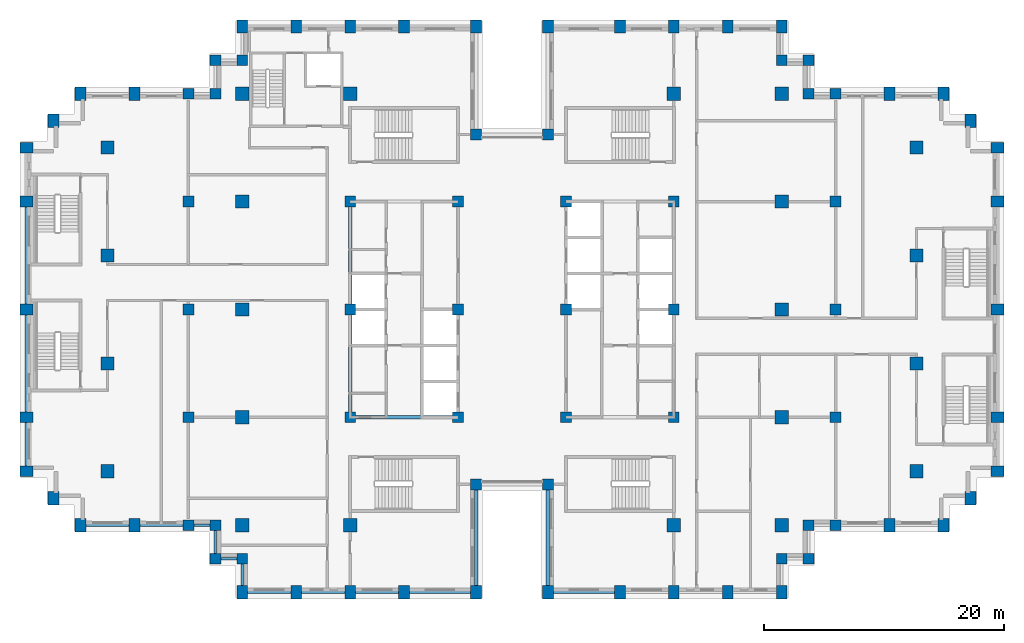
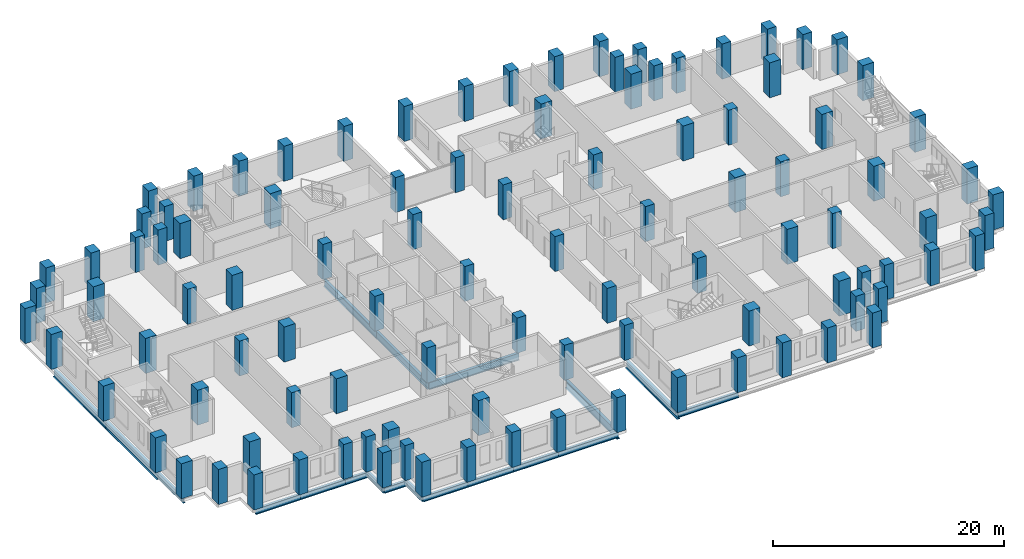
# One storey, part 1 of 15: 102 columns, 19 beams.
"""IFC4 building model written with IfcOpenShell, lengths in metres."""

from ifc_helpers import new_model, si_unit, direction, frame, origin, origin_2d, place, context, subcontext, project, spatial, rectangle, i_section, extrude, material, material_profile, profile_set, type_object, element, save


model = new_model("IFC4")

# Units and contexts
model_context = context("Model", 3, precision=1e-05, world=origin(), true_north=direction((0.0, 1.0)))
body_context = subcontext(model_context, "Body", "Model", "MODEL_VIEW")
ifc_project = project(units=[si_unit("LENGTHUNIT", "METRE"), si_unit("AREAUNIT", "SQUARE_METRE"), si_unit("VOLUMEUNIT", "CUBIC_METRE"), si_unit("PLANEANGLEUNIT", "RADIAN"), si_unit("MASSUNIT", "GRAM", prefix="KILO")], contexts=[model_context])

# Site, building, storey
site_placement = place(None, origin())
site = spatial("IfcSite", under=ifc_project, at=site_placement, CompositionType="ELEMENT")
building_placement = place(site_placement, origin())
building = spatial("IfcBuilding", under=site, at=building_placement, Name="Corbelhall Arena Tower", CompositionType="ELEMENT")
storey_placement = place(building_placement, frame((0.0, 0.0, 138.0)))
storey = spatial("IfcBuildingStorey", under=building, at=storey_placement, Name="L26", CompositionType="ELEMENT", Elevation=138.0)

# Columns
ifc_material_1 = material(Name="Concrete C80/95", Category="concrete")
ifc_material_profile_1 = material_profile(ifc_material_1, rectangle(XDim=1.10009765625, YDim=1.10009765625, at=origin_2d()))
ifc_profile_set_1 = profile_set([ifc_material_profile_1], Name="Concrete C80/95")
column_type_1 = type_object("IfcColumnType", Name="ST-COL-RC 1100x1100", PredefinedType="COLUMN", material=ifc_profile_set_1)
for number, where, z_axis, x_axis, name in (
    (1, (-33.75, 4.5, 0.0), (0.0, 0.0, 1.0), (1.0, 0.0, 0.0), "Column FIC+0450"),
    (2, (-33.75, 13.5, 0.0), (0.0, 0.0, 1.0), (1.0, 0.0, 0.0), "Column FIC+1350"),
    (3, (-33.75, -4.5, 0.0), (0.0, 0.0, 1.0), (1.0, 0.0, 0.0), "Column FIC-0450"),
    (4, (-33.75, -13.5, 0.0), (0.0, 0.0, 1.0), (1.0, 0.0, 0.0), "Column FIC-1350"),
    (5, (33.75, 4.5, 0.0), (0.0, 0.0, 1.0), (1.0, 0.0, 0.0), "Column FID+0450"),
    (6, (33.75, 13.5, 0.0), (0.0, 0.0, 1.0), (1.0, 0.0, 0.0), "Column FID+1350"),
    (7, (33.75, -4.5, 0.0), (0.0, 0.0, 1.0), (1.0, 0.0, 0.0), "Column FID-0450"),
    (8, (33.75, -13.5, 0.0), (0.0, 0.0, 1.0), (1.0, 0.0, 0.0), "Column FID-1350"),
    (9, (13.5, 18.0, 0.0), (0.0, 0.0, 1.0), (1.0, 0.0, 0.0), "Column IE13+1800"),
    (10, (13.5, -18.0, 0.0), (0.0, 0.0, 1.0), (1.0, 0.0, 0.0), "Column IE13-1800"),
    (11, (22.5, 0.0, 0.0), (0.0, 0.0, 1.0), (1.0, 0.0, 0.0), "Column IE22+0000"),
    (12, (22.5, 9.0, 0.0), (0.0, 0.0, 1.0), (1.0, 0.0, 0.0), "Column IE22+0900"),
    (13, (22.5, 18.0, 0.0), (0.0, 0.0, 1.0), (1.0, 0.0, 0.0), "Column IE22+1800"),
    (14, (22.5, -9.0, 0.0), (0.0, 0.0, 1.0), (1.0, 0.0, 0.0), "Column IE22-0900"),
    (15, (22.5, -18.0, 0.0), (0.0, 0.0, 1.0), (1.0, 0.0, 0.0), "Column IE22-1800"),
    (16, (-13.5, 18.0, 0.0), (0.0, 0.0, 1.0), (1.0, 0.0, 0.0), "Column IW13+1800"),
    (17, (-13.5, -18.0, 0.0), (0.0, 0.0, 1.0), (1.0, 0.0, 0.0), "Column IW13-1800"),
    (18, (-22.5, 0.0, 0.0), (0.0, 0.0, 1.0), (1.0, 0.0, 0.0), "Column IW22+0000"),
    (19, (-22.5, 9.0, 0.0), (0.0, 0.0, 1.0), (1.0, 0.0, 0.0), "Column IW22+0900"),
    (20, (-22.5, 18.0, 0.0), (0.0, 0.0, 1.0), (1.0, 0.0, 0.0), "Column IW22+1800"),
    (21, (-22.5, -9.0, 0.0), (0.0, 0.0, 1.0), (1.0, 0.0, 0.0), "Column IW22-0900"),
    (22, (-22.5, -18.0, 0.0), (0.0, 0.0, 1.0), (1.0, 0.0, 0.0), "Column IW22-1800"),
):
    element("IfcColumn", number, at=place(storey_placement, frame(where, z_axis=z_axis, x_axis=x_axis)), inside=storey, type_object=column_type_1, Name=name, PredefinedType="COLUMN", context=body_context, shape_type="SweptSolid", body=[
        extrude(rectangle(XDim=1.10009765625, YDim=1.10009765625, at=origin_2d()), origin(), (0.0, 0.0, 1.0), 3.699951171875),
    ])
ifc_material_profile_2 = material_profile(ifc_material_1, rectangle(XDim=0.89990234375, YDim=1.10009765625, at=origin_2d()))
ifc_profile_set_2 = profile_set([ifc_material_profile_2], Name="Concrete C80/95")
column_type_2 = type_object("IfcColumnType", Name="ST-COL-RC 900x1100", PredefinedType="COLUMN", material=ifc_profile_set_2)
for number, where, z_axis, x_axis, name in (
    (23, (-40.5, 0.0, 0.0), (0.0, 0.0, 1.0), (0.0, 1.0, 0.0), "Column FC+0000"),
    (24, (-40.5, 9.0, 0.0), (0.0, 0.0, 1.0), (0.0, 1.0, 0.0), "Column FC+0900"),
    (25, (-40.5, 13.5, 0.0), (0.0, 0.0, 1.0), (0.0, 1.0, 0.0), "Column FC+1350"),
    (26, (-40.5, -9.0, 0.0), (0.0, 0.0, 1.0), (0.0, 1.0, 0.0), "Column FC-0900"),
    (27, (-40.5, -13.5, 0.0), (0.0, 0.0, 1.0), (0.0, 1.0, 0.0), "Column FC-1350"),
    (28, (-38.25, 15.75, 0.0), (0.0, 0.0, 1.0), (1.0, 0.0, 0.0), "Column FCCN"),
    (29, (-38.25, -15.75, 0.0), (0.0, 0.0, 1.0), (1.0, 0.0, 0.0), "Column FCCS"),
    (30, (-31.5, 18.0, 0.0), (0.0, 0.0, 1.0), (1.0, 0.0, 0.0), "Column FCN3150"),
    (31, (-36.0, 18.0, 0.0), (0.0, 0.0, 1.0), (1.0, 0.0, 0.0), "Column FCN3600"),
    (32, (-31.5, -18.0, 0.0), (0.0, 0.0, 1.0), (1.0, 0.0, 0.0), "Column FCS3150"),
    (33, (-36.0, -18.0, 0.0), (0.0, 0.0, 1.0), (1.0, 0.0, 0.0), "Column FCS3600"),
    (34, (40.5, 0.0, 0.0), (0.0, 0.0, 1.0), (0.0, 1.0, 0.0), "Column FD+0000"),
    (35, (40.5, 9.0, 0.0), (0.0, 0.0, 1.0), (0.0, 1.0, 0.0), "Column FD+0900"),
    (36, (40.5, 13.5, 0.0), (0.0, 0.0, 1.0), (0.0, 1.0, 0.0), "Column FD+1350"),
    (37, (40.5, -9.0, 0.0), (0.0, 0.0, 1.0), (0.0, 1.0, 0.0), "Column FD-0900"),
    (38, (40.5, -13.5, 0.0), (0.0, 0.0, 1.0), (0.0, 1.0, 0.0), "Column FD-1350"),
    (39, (38.25, 15.75, 0.0), (0.0, 0.0, 1.0), (1.0, 0.0, 0.0), "Column FDCN"),
    (40, (38.25, -15.75, 0.0), (0.0, 0.0, 1.0), (1.0, 0.0, 0.0), "Column FDCS"),
    (41, (31.5, 18.0, 0.0), (0.0, 0.0, 1.0), (1.0, 0.0, 0.0), "Column FDN3150"),
    (42, (36.0, 18.0, 0.0), (0.0, 0.0, 1.0), (1.0, 0.0, 0.0), "Column FDN3600"),
    (43, (31.5, -18.0, 0.0), (0.0, 0.0, 1.0), (1.0, 0.0, 0.0), "Column FDS3150"),
    (44, (36.0, -18.0, 0.0), (0.0, 0.0, 1.0), (1.0, 0.0, 0.0), "Column FDS3600"),
    (45, (3.0, 23.60009765625, 0.0), (0.0, 0.0, 1.0), (1.0, 0.0, 0.0), "Column PNE0300"),
    (46, (9.0, 23.60009765625, 0.0), (0.0, 0.0, 1.0), (1.0, 0.0, 0.0), "Column PNE0900"),
    (47, (13.5, 23.60009765625, 0.0), (0.0, 0.0, 1.0), (1.0, 0.0, 0.0), "Column PNE1350"),
    (48, (18.0, 23.60009765625, 0.0), (0.0, 0.0, 1.0), (1.0, 0.0, 0.0), "Column PNE1800"),
    (49, (22.5, 23.60009765625, 0.0), (0.0, 0.0, 1.0), (1.0, 0.0, 0.0), "Column PNE2250"),
    (50, (-3.0, 23.60009765625, 0.0), (0.0, 0.0, 1.0), (1.0, 0.0, 0.0), "Column PNW0300"),
    (51, (-9.0, 23.60009765625, 0.0), (0.0, 0.0, 1.0), (1.0, 0.0, 0.0), "Column PNW0900"),
    (52, (-13.5, 23.60009765625, 0.0), (0.0, 0.0, 1.0), (1.0, 0.0, 0.0), "Column PNW1350"),
    (53, (-18.0, 23.60009765625, 0.0), (0.0, 0.0, 1.0), (1.0, 0.0, 0.0), "Column PNW1800"),
    (54, (-22.5, 23.60009765625, 0.0), (0.0, 0.0, 1.0), (1.0, 0.0, 0.0), "Column PNW2250"),
    (55, (3.0, -23.60009765625, 0.0), (0.0, 0.0, 1.0), (1.0, 0.0, 0.0), "Column PSE0300"),
    (56, (9.0, -23.60009765625, 0.0), (0.0, 0.0, 1.0), (1.0, 0.0, 0.0), "Column PSE0900"),
    (57, (13.5, -23.60009765625, 0.0), (0.0, 0.0, 1.0), (1.0, 0.0, 0.0), "Column PSE1350"),
    (58, (18.0, -23.60009765625, 0.0), (0.0, 0.0, 1.0), (1.0, 0.0, 0.0), "Column PSE1800"),
    (59, (22.5, -23.60009765625, 0.0), (0.0, 0.0, 1.0), (1.0, 0.0, 0.0), "Column PSE2250"),
    (60, (-3.0, -23.60009765625, 0.0), (0.0, 0.0, 1.0), (1.0, 0.0, 0.0), "Column PSW0300"),
    (61, (-9.0, -23.60009765625, 0.0), (0.0, 0.0, 1.0), (1.0, 0.0, 0.0), "Column PSW0900"),
    (62, (-13.5, -23.60009765625, 0.0), (0.0, 0.0, 1.0), (1.0, 0.0, 0.0), "Column PSW1350"),
    (63, (-18.0, -23.60009765625, 0.0), (0.0, 0.0, 1.0), (1.0, 0.0, 0.0), "Column PSW1800"),
    (64, (-22.5, -23.60009765625, 0.0), (0.0, 0.0, 1.0), (1.0, 0.0, 0.0), "Column PSW2250"),
):
    element("IfcColumn", number, at=place(storey_placement, frame(where, z_axis=z_axis, x_axis=x_axis)), inside=storey, type_object=column_type_2, Name=name, PredefinedType="COLUMN", context=body_context, shape_type="SweptSolid", body=[
        extrude(rectangle(XDim=0.89990234375, YDim=1.10009765625, at=origin_2d()), origin(), (0.0, 0.0, 1.0), 3.699951171875),
    ])
ifc_material_profile_3 = material_profile(ifc_material_1, rectangle(XDim=0.89990234375, YDim=0.89990234375, at=origin_2d()))
ifc_profile_set_3 = profile_set([ifc_material_profile_3], Name="Concrete C80/95")
column_type_3 = type_object("IfcColumnType", Name="ST-COL-RC 900x900", PredefinedType="COLUMN", material=ifc_profile_set_3)
for number, where, z_axis, x_axis, name in (
    (65, (4.5, 0.0, 0.0), (0.0, 0.0, 1.0), (1.0, 0.0, 0.0), "Column KE+0450+0000"),
    (66, (4.5, 9.0, 0.0), (0.0, 0.0, 1.0), (1.0, 0.0, 0.0), "Column KE+0450+0900"),
    (67, (4.5, -9.0, 0.0), (0.0, 0.0, 1.0), (1.0, 0.0, 0.0), "Column KE+0450-0900"),
    (68, (13.5, 0.0, 0.0), (0.0, 0.0, 1.0), (1.0, 0.0, 0.0), "Column KE+1350+0000"),
    (69, (13.5, 9.0, 0.0), (0.0, 0.0, 1.0), (1.0, 0.0, 0.0), "Column KE+1350+0900"),
    (70, (13.5, -9.0, 0.0), (0.0, 0.0, 1.0), (1.0, 0.0, 0.0), "Column KE+1350-0900"),
    (71, (-4.5, 0.0, 0.0), (0.0, 0.0, 1.0), (1.0, 0.0, 0.0), "Column KW-0450+0000"),
    (72, (-4.5, 9.0, 0.0), (0.0, 0.0, 1.0), (1.0, 0.0, 0.0), "Column KW-0450+0900"),
    (73, (-4.5, -9.0, 0.0), (0.0, 0.0, 1.0), (1.0, 0.0, 0.0), "Column KW-0450-0900"),
    (74, (-13.5, 0.0, 0.0), (0.0, 0.0, 1.0), (1.0, 0.0, 0.0), "Column KW-1350+0000"),
    (75, (-13.5, 9.0, 0.0), (0.0, 0.0, 1.0), (1.0, 0.0, 0.0), "Column KW-1350+0900"),
    (76, (-13.5, -9.0, 0.0), (0.0, 0.0, 1.0), (1.0, 0.0, 0.0), "Column KW-1350-0900"),
    (77, (27.0, 0.0, 0.0), (0.0, 0.0, 1.0), (1.0, 0.0, 0.0), "Column PE+0000"),
    (78, (27.0, 9.0, 0.0), (0.0, 0.0, 1.0), (1.0, 0.0, 0.0), "Column PE+0900"),
    (79, (27.0, 18.0, 0.0), (0.0, 0.0, 1.0), (1.0, 0.0, 0.0), "Column PE+1800"),
    (80, (27.0, -9.0, 0.0), (0.0, 0.0, 1.0), (1.0, 0.0, 0.0), "Column PE-0900"),
    (81, (27.0, -18.0, 0.0), (0.0, 0.0, 1.0), (1.0, 0.0, 0.0), "Column PE-1800"),
    (82, (-27.0, 0.0, 0.0), (0.0, 0.0, 1.0), (1.0, 0.0, 0.0), "Column PW+0000"),
    (83, (-27.0, 9.0, 0.0), (0.0, 0.0, 1.0), (1.0, 0.0, 0.0), "Column PW+0900"),
    (84, (-27.0, 18.0, 0.0), (0.0, 0.0, 1.0), (1.0, 0.0, 0.0), "Column PW+1800"),
    (85, (-27.0, -9.0, 0.0), (0.0, 0.0, 1.0), (1.0, 0.0, 0.0), "Column PW-0900"),
    (86, (-27.0, -18.0, 0.0), (0.0, 0.0, 1.0), (1.0, 0.0, 0.0), "Column PW-1800"),
    (87, (3.0, 14.60009765625, 0.0), (0.0, 0.0, 1.0), (1.0, 0.0, 0.0), "Column SLNE2"),
    (88, (-3.0, 14.60009765625, 0.0), (0.0, 0.0, 1.0), (1.0, 0.0, 0.0), "Column SLNW2"),
    (89, (3.0, -14.60009765625, 0.0), (0.0, 0.0, 1.0), (1.0, 0.0, 0.0), "Column SLSE2"),
    (90, (-3.0, -14.60009765625, 0.0), (0.0, 0.0, 1.0), (1.0, 0.0, 0.0), "Column SLSW2"),
    (91, (22.5, 20.800048828125, 0.0), (0.0, 0.0, 1.0), (1.0, 0.0, 0.0), "Column XNE1"),
    (92, (24.75, 20.800048828125, 0.0), (0.0, 0.0, 1.0), (1.0, 0.0, 0.0), "Column XNE2"),
    (93, (24.75, 18.0, 0.0), (0.0, 0.0, 1.0), (1.0, 0.0, 0.0), "Column XNE3"),
    (94, (-22.5, 20.800048828125, 0.0), (0.0, 0.0, 1.0), (1.0, 0.0, 0.0), "Column XNW1"),
    (95, (-24.75, 20.800048828125, 0.0), (0.0, 0.0, 1.0), (1.0, 0.0, 0.0), "Column XNW2"),
    (96, (-24.75, 18.0, 0.0), (0.0, 0.0, 1.0), (1.0, 0.0, 0.0), "Column XNW3"),
    (97, (22.5, -20.800048828125, 0.0), (0.0, 0.0, 1.0), (1.0, 0.0, 0.0), "Column XSE1"),
    (98, (24.75, -20.800048828125, 0.0), (0.0, 0.0, 1.0), (1.0, 0.0, 0.0), "Column XSE2"),
    (99, (24.75, -18.0, 0.0), (0.0, 0.0, 1.0), (1.0, 0.0, 0.0), "Column XSE3"),
    (100, (-22.5, -20.800048828125, 0.0), (0.0, 0.0, 1.0), (1.0, 0.0, 0.0), "Column XSW1"),
    (101, (-24.75, -20.800048828125, 0.0), (0.0, 0.0, 1.0), (1.0, 0.0, 0.0), "Column XSW2"),
    (102, (-24.75, -18.0, 0.0), (0.0, 0.0, 1.0), (1.0, 0.0, 0.0), "Column XSW3"),
):
    element("IfcColumn", number, at=place(storey_placement, frame(where, z_axis=z_axis, x_axis=x_axis)), inside=storey, type_object=column_type_3, Name=name, PredefinedType="COLUMN", context=body_context, shape_type="SweptSolid", body=[
        extrude(rectangle(XDim=0.89990234375, YDim=0.89990234375, at=origin_2d()), origin(), (0.0, 0.0, 1.0), 3.699951171875),
    ])

# Beams
ifc_material_2 = material(Name="Steel ASTM A992 Gr50", Category="steel")
ifc_material_profile_4 = material_profile(ifc_material_2, i_section(OverallWidth=0.2666015625, OverallDepth=0.761962890625, WebThickness=0.014404296875, FlangeThickness=0.021484375, at=origin_2d()))
ifc_profile_set_4 = profile_set([ifc_material_profile_4], Name="Steel ASTM A992 Gr50")
beam_type_1 = type_object("IfcBeamType", Name="ST-BEAM-W30x116", PredefinedType="BEAM", material=ifc_profile_set_4)
for number, where, z_axis, x_axis, name in (
    (103, (-13.5, -9.0, -0.680908203125), (0.0, 1.0, 0.0), (-1.0, 0.0, 0.0), "Beam CEW 1"),
    (104, (-13.5, 0.0, -0.680908203125), (0.0, 1.0, 0.0), (-1.0, 0.0, 0.0), "Beam CEW 2"),
    (105, (-13.5, -9.0, -0.680908203125), (1.0, 0.0, 0.0), (0.0, 1.0, 0.0), "Beam CEW 5"),
):
    element("IfcBeam", number, at=place(storey_placement, frame(where, z_axis=z_axis, x_axis=x_axis)), inside=storey, type_object=beam_type_1, Name=name, PredefinedType="BEAM", context=body_context, shape_type="SweptSolid", body=[
        extrude(i_section(OverallWidth=0.2666015625, OverallDepth=0.761962890625, WebThickness=0.014404296875, FlangeThickness=0.021484375, at=origin_2d()), origin(), (0.0, 0.0, 1.0), 9.0),
    ])
ifc_material_profile_5 = material_profile(ifc_material_2, i_section(OverallWidth=0.22900390625, OverallDepth=0.612060546875, WebThickness=0.011962890625, FlangeThickness=0.01953125, at=origin_2d()))
ifc_profile_set_5 = profile_set([ifc_material_profile_5], Name="Steel ASTM A992 Gr50")
beam_type_2 = type_object("IfcBeamType", Name="ST-SPANDREL-W24x84", PredefinedType="SPANDREL", material=ifc_profile_set_5)
for number, where, z_axis, x_axis, name in (
    (106, (-40.5, -13.5, -0.60595703125), (0.0, 1.0, 0.0), (-1.0, 0.0, 0.0), "Beam SP 4"),
    (107, (-31.5, -18.0, -0.60595703125), (-1.0, 0.0, 0.0), (0.0, -1.0, 0.0), "Beam SP 7"),
):
    element("IfcBeam", number, at=place(storey_placement, frame(where, z_axis=z_axis, x_axis=x_axis)), inside=storey, type_object=beam_type_2, Name=name, PredefinedType="SPANDREL", context=body_context, shape_type="SweptSolid", body=[
        extrude(i_section(OverallWidth=0.22900390625, OverallDepth=0.612060546875, WebThickness=0.011962890625, FlangeThickness=0.01953125, at=origin_2d()), origin(), (0.0, 0.0, 1.0), 4.5),
    ])
for number, where, z_axis, x_axis, name in (
    (108, (9.0, -23.60009765625, -0.60595703125), (-1.0, 0.0, 0.0), (0.0, -1.0, 0.0), "Beam SP 28"),
    (109, (-3.0, -23.60009765625, -0.60595703125), (-1.0, 0.0, 0.0), (0.0, -1.0, 0.0), "Beam SP 32"),
):
    element("IfcBeam", number, at=place(storey_placement, frame(where, z_axis=z_axis, x_axis=x_axis)), inside=storey, type_object=beam_type_2, Name=name, PredefinedType="SPANDREL", context=body_context, shape_type="SweptSolid", body=[
        extrude(i_section(OverallWidth=0.22900390625, OverallDepth=0.612060546875, WebThickness=0.011962890625, FlangeThickness=0.01953125, at=origin_2d()), origin(), (0.0, 0.0, 1.0), 6.0),
    ])
for number, where, z_axis, x_axis, name in (
    (110, (-9.0, -23.60009765625, -0.60595703125), (-1.0, 0.0, 0.0), (0.0, -1.0, 0.0), "Beam SP 33"),
    (111, (-13.5, -23.60009765625, -0.60595703125), (-1.0, 0.0, 0.0), (0.0, -1.0, 0.0), "Beam SP 34"),
    (112, (-18.0, -23.60009765625, -0.60595703125), (-1.0, 0.0, 0.0), (0.0, -1.0, 0.0), "Beam SP 35"),
):
    element("IfcBeam", number, at=place(storey_placement, frame(where, z_axis=z_axis, x_axis=x_axis)), inside=storey, type_object=beam_type_2, Name=name, PredefinedType="SPANDREL", context=body_context, shape_type="SweptSolid", body=[
        extrude(i_section(OverallWidth=0.22900390625, OverallDepth=0.612060546875, WebThickness=0.011962890625, FlangeThickness=0.01953125, at=origin_2d()), origin(), (0.0, 0.0, 1.0), 4.5),
    ])
beam_1_placement = place(storey_placement, frame((-22.5, -23.60009765625, -0.60595703125), z_axis=(0.0, 1.0, 0.0), x_axis=(-1.0, 0.0, 0.0)))
element("IfcBeam", 113, at=beam_1_placement, inside=storey, type_object=beam_type_2, Name="Beam SP 36", PredefinedType="SPANDREL", context=body_context, shape_type="SweptSolid", body=[
    extrude(i_section(OverallWidth=0.22900390625, OverallDepth=0.612060546875, WebThickness=0.011962890625, FlangeThickness=0.01953125, at=origin_2d()), origin(), (0.0, 0.0, 1.0), 2.800048828125),
])
beam_2_placement = place(storey_placement, frame((-27.0, -18.0, -0.60595703125), z_axis=(-1.0, 0.0, 0.0), x_axis=(0.0, -1.0, 0.0)))
element("IfcBeam", 114, at=beam_2_placement, inside=storey, type_object=beam_type_2, Name="Beam SP 38", PredefinedType="SPANDREL", context=body_context, shape_type="SweptSolid", body=[
    extrude(i_section(OverallWidth=0.22900390625, OverallDepth=0.612060546875, WebThickness=0.011962890625, FlangeThickness=0.01953125, at=origin_2d()), origin(), (0.0, 0.0, 1.0), 4.5),
])
beam_3_placement = place(storey_placement, frame((-22.5, -20.800048828125, -0.60595703125), z_axis=(-1.0, 0.0, 0.0), x_axis=(0.0, -1.0, 0.0)))
element("IfcBeam", 115, at=beam_3_placement, inside=storey, type_object=beam_type_2, Name="Beam SP 52", PredefinedType="SPANDREL", context=body_context, shape_type="SweptSolid", body=[
    extrude(i_section(OverallWidth=0.22900390625, OverallDepth=0.612060546875, WebThickness=0.011962890625, FlangeThickness=0.01953125, at=origin_2d()), origin(), (0.0, 0.0, 1.0), 2.25),
])
beam_4_placement = place(storey_placement, frame((-24.75, -20.800048828125, -0.60595703125), z_axis=(0.0, 1.0, 0.0), x_axis=(-1.0, 0.0, 0.0)))
element("IfcBeam", 116, at=beam_4_placement, inside=storey, type_object=beam_type_2, Name="Beam SP 53", PredefinedType="SPANDREL", context=body_context, shape_type="SweptSolid", body=[
    extrude(i_section(OverallWidth=0.22900390625, OverallDepth=0.612060546875, WebThickness=0.011962890625, FlangeThickness=0.01953125, at=origin_2d()), origin(), (0.0, 0.0, 1.0), 2.800048828125),
])
beam_5_placement = place(storey_placement, frame((-24.75, -18.0, -0.60595703125), z_axis=(-1.0, 0.0, 0.0), x_axis=(0.0, -1.0, 0.0)))
element("IfcBeam", 117, at=beam_5_placement, inside=storey, type_object=beam_type_2, Name="Beam SP 54", PredefinedType="SPANDREL", context=body_context, shape_type="SweptSolid", body=[
    extrude(i_section(OverallWidth=0.22900390625, OverallDepth=0.612060546875, WebThickness=0.011962890625, FlangeThickness=0.01953125, at=origin_2d()), origin(), (0.0, 0.0, 1.0), 2.25),
])
ifc_material_profile_6 = material_profile(ifc_material_2, i_section(OverallWidth=0.2919921875, OverallDepth=0.845703125, WebThickness=0.015380859375, FlangeThickness=0.0244140625, at=origin_2d()))
ifc_profile_set_6 = profile_set([ifc_material_profile_6], Name="Steel ASTM A992 Gr50")
beam_type_3 = type_object("IfcBeamType", Name="ST-SPANDREL-W33x141", PredefinedType="SPANDREL", material=ifc_profile_set_6)
for number, where, z_axis, x_axis, name in (
    (118, (-40.5, 0.0, -0.722900390625), (0.0, 1.0, 0.0), (-1.0, 0.0, 0.0), "Beam SP 1"),
    (119, (-40.5, -9.0, -0.722900390625), (0.0, 1.0, 0.0), (-1.0, 0.0, 0.0), "Beam SP 3"),
    (120, (3.0, -23.60009765625, -0.722900390625), (0.0, 1.0, 0.0), (-1.0, 0.0, 0.0), "Beam SP 27"),
    (121, (-3.0, -14.60009765625, -0.722900390625), (0.0, -1.0, 0.0), (1.0, 0.0, 0.0), "Beam SP 42"),
):
    element("IfcBeam", number, at=place(storey_placement, frame(where, z_axis=z_axis, x_axis=x_axis)), inside=storey, type_object=beam_type_3, Name=name, PredefinedType="SPANDREL", context=body_context, shape_type="SweptSolid", body=[
        extrude(i_section(OverallWidth=0.2919921875, OverallDepth=0.845703125, WebThickness=0.015380859375, FlangeThickness=0.0244140625, at=origin_2d()), origin(), (0.0, 0.0, 1.0), 9.0),
    ])

save(model, "model.ifc")
